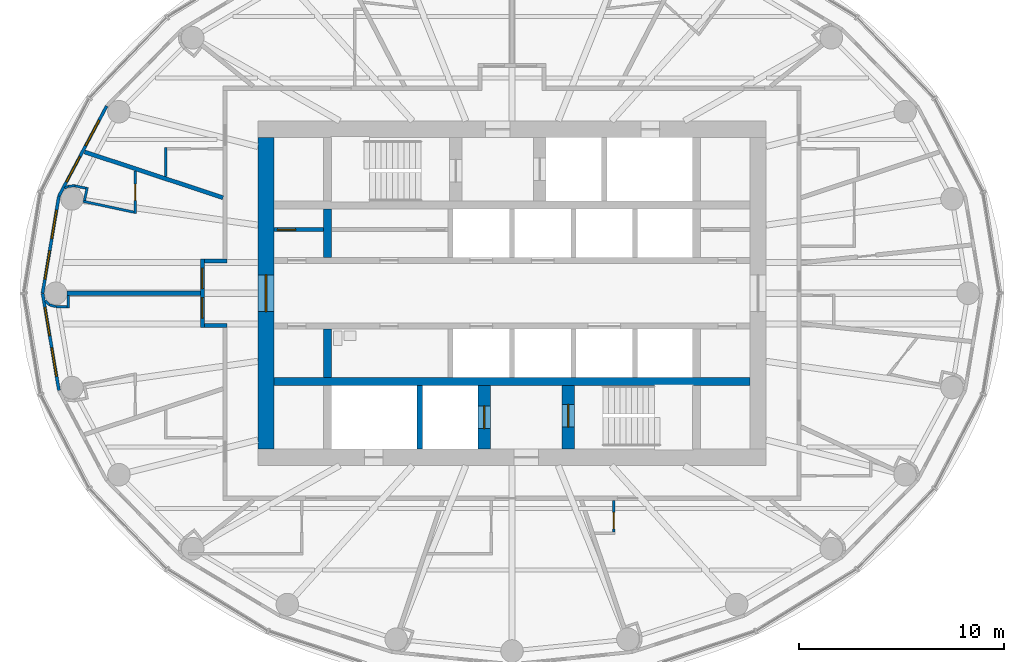
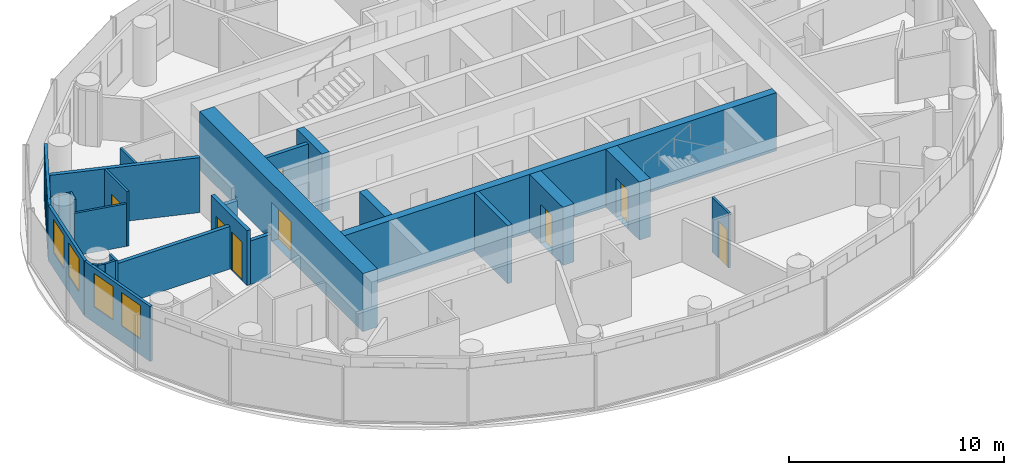
# One storey, part 8 of 16: 28 walls, 8 doors, 6 windows, 14 openings.
"""IFC4 building model written with IfcOpenShell, lengths in metres."""

from ifc_helpers import new_model, si_unit, direction, frame, frame_2d, origin, place, context, subcontext, project, spatial, rectangle, extrude, material, layer, layer_set, type_object, element, fill, save


model = new_model("IFC4")

# Units and contexts
model_context = context("Model", 3, precision=1e-05, world=origin(), true_north=direction((0.0, 1.0)))
body_context = subcontext(model_context, "Body", "Model", "MODEL_VIEW")
ifc_project = project(units=[si_unit("LENGTHUNIT", "METRE"), si_unit("AREAUNIT", "SQUARE_METRE"), si_unit("VOLUMEUNIT", "CUBIC_METRE"), si_unit("PLANEANGLEUNIT", "RADIAN"), si_unit("MASSUNIT", "GRAM", prefix="KILO")], contexts=[model_context])

# Site, building, storey
site_placement = place(None, origin())
site = spatial("IfcSite", under=ifc_project, at=site_placement, CompositionType="ELEMENT")
building_placement = place(site_placement, origin())
building = spatial("IfcBuilding", under=site, at=building_placement, Name="Hankou Lantern Tower", CompositionType="ELEMENT")
storey_placement = place(building_placement, frame((0.0, 0.0, 173.10009765625)))
storey = spatial("IfcBuildingStorey", under=building, at=storey_placement, Name="L46", CompositionType="ELEMENT", Elevation=173.10009765625)

# Wall, opening, door
ifc_material_1 = material(Name="Concrete C60", Category="concrete")
ifc_layer_1 = layer(ifc_material_1, 0.800048828125)
ifc_layer_set_1 = layer_set([ifc_layer_1], Name="Concrete C60")
wall_type_1 = type_object("IfcWallType", Name="CW2 CORE WALL 800", PredefinedType="SHEAR", material=ifc_layer_set_1)
wall_1_placement = place(storey_placement, frame((-12.0, 7.60009765625, 0.0), z_axis=(0.0, 0.0, 1.0), x_axis=(0.0, -1.0, 0.0)))
wall_1 = element("IfcWall", 1, at=wall_1_placement, inside=storey, type_object=wall_type_1, Name="Core wall west L46", PredefinedType="SHEAR", context=body_context, shape_type="SweptSolid", body=[
    extrude(rectangle(XDim=15.2001953125, YDim=0.800048828125, at=frame_2d((7.60009765625, 0.0))), origin(), (0.0, 0.0, 1.0), 3.2998046875),
])
opening_1_placement = place(wall_1_placement, frame((6.699951171875, 0.0, 0.0)))
opening_1 = element("IfcOpeningElement", 2, at=opening_1_placement, cuts=wall_1, Name="Opening D6", PredefinedType="OPENING", context=body_context, shape_type="SweptSolid", body=[
    extrude(rectangle(XDim=1.800048828125, YDim=2.199951171875, at=frame_2d((0.89990234375, 1.10009765625))), frame((0.0, 0.409912109375, 0.0), z_axis=(0.0, -1.0, 0.0), x_axis=(1.0, 0.0, 0.0)), (0.0, 0.0, 1.0), 0.820068359375),
])
ifc_material_2 = material(Name="Steel door leaf", Category="steel")
door_type_1 = type_object("IfcDoorType", Name="D6 LIFT LOBBY DOOR 1800X2200", OperationType="DOUBLE_DOOR_DOUBLE_SWING", PredefinedType="DOOR", material=ifc_material_2)
door_1_placement = place(opening_1_placement, origin())
door_1 = element("IfcDoor", 3, at=door_1_placement, inside=storey, type_object=door_type_1, Name="Lift lobby west door", OperationType="DOUBLE_DOOR_DOUBLE_SWING", OverallHeight=2.199951171875, OverallWidth=1.800048828125, PredefinedType="DOOR", context=body_context, shape_type="SweptSolid", body=[
    extrude(rectangle(XDim=1.800048828125, YDim=2.199951171875, at=frame_2d((0.89990234375, 1.10009765625))), frame((0.0, 0.02490234375, 0.0), z_axis=(0.0, -1.0, 0.0), x_axis=(1.0, 0.0, 0.0)), (0.0, 0.0, 1.0), 0.050048828125),
])
fill(opening_1, door_1)

# Walls
ifc_material_3 = material(Name="Concrete C60", Category="concrete")
ifc_layer_2 = layer(ifc_material_3, 0.39990234375)
ifc_layer_set_2 = layer_set([ifc_layer_2], Name="Concrete C60")
wall_type_2 = type_object("IfcWallType", Name="CW4 CORE CROSS WALL 400", PredefinedType="SHEAR", material=ifc_layer_set_2)
wall_2_placement = place(storey_placement, frame((-11.60009765625, -4.300048828125, 0.0), z_axis=(0.0, 0.0, 1.0), x_axis=(1.0, 0.0, 0.0)))
element("IfcWall", 4, at=wall_2_placement, inside=storey, type_object=wall_type_2, Name="Core band wall south L46", PredefinedType="SHEAR", context=body_context, shape_type="SweptSolid", body=[
    extrude(rectangle(XDim=23.2001953125, YDim=0.39990234375, at=frame_2d((11.60009765625, 0.0))), origin(), (0.0, 0.0, 1.0), 3.2998046875),
])
for number, where, z_axis, x_axis, name in (
    (5, (-9.0, 1.75, 0.0), (0.0, 0.0, 1.0), (0.0, 1.0, 0.0), "Core strip wall L46"),
    (6, (-9.0, -4.10009765625, 0.0), (0.0, 0.0, 1.0), (0.0, 1.0, 0.0), "Core strip wall L46"),
):
    element("IfcWall", number, at=place(storey_placement, frame(where, z_axis=z_axis, x_axis=x_axis)), inside=storey, type_object=wall_type_2, Name=name, PredefinedType="SHEAR", context=body_context, shape_type="SweptSolid", body=[
        extrude(rectangle(XDim=2.35009765625, YDim=0.39990234375, at=frame_2d((1.175048828125, 0.0))), origin(), (0.0, 0.0, 1.0), 3.2998046875),
    ])

# Wall, opening, door
ifc_material_4 = material(Name="Concrete C60", Category="concrete")
ifc_layer_3 = layer(ifc_material_4, 0.60009765625)
ifc_layer_set_3 = layer_set([ifc_layer_3], Name="Concrete C60")
wall_type_3 = type_object("IfcWallType", Name="CW6 STAIR AND SHAFT WALL 600", PredefinedType="SHEAR", material=ifc_layer_set_3)
wall_3_placement = place(storey_placement, frame((2.75, -7.60009765625, 0.0), z_axis=(0.0, 0.0, 1.0), x_axis=(0.0, 1.0, 0.0)))
wall_3 = element("IfcWall", 7, at=wall_3_placement, inside=storey, type_object=wall_type_3, Name="Stair wall L46", PredefinedType="SHEAR", context=body_context, shape_type="SweptSolid", body=[
    extrude(rectangle(XDim=3.10009765625, YDim=0.60009765625, at=frame_2d((1.550048828125, 0.0))), origin(), (0.0, 0.0, 1.0), 3.2998046875),
])
opening_2_placement = place(wall_3_placement, frame((1.074951171875, 0.0, 0.0)))
opening_2 = element("IfcOpeningElement", 8, at=opening_2_placement, cuts=wall_3, Name="Opening D4", PredefinedType="OPENING", context=body_context, shape_type="SweptSolid", body=[
    extrude(rectangle(XDim=1.10009765625, YDim=2.199951171875, at=frame_2d((0.550048828125, 1.10009765625))), frame((0.0, 0.31005859375, 0.0), z_axis=(0.0, -1.0, 0.0), x_axis=(1.0, 0.0, 0.0)), (0.0, 0.0, 1.0), 0.6201171875),
])
ifc_material_5 = material(Name="Steel door leaf", Category="steel")
door_type_2 = type_object("IfcDoorType", Name="D4 STAIR DOOR 1100X2200", OperationType="SINGLE_SWING_LEFT", PredefinedType="DOOR", material=ifc_material_5)
door_2_placement = place(opening_2_placement, origin())
door_2 = element("IfcDoor", 9, at=door_2_placement, inside=storey, type_object=door_type_2, Name="Stair B door", OperationType="SINGLE_SWING_RIGHT", OverallHeight=2.199951171875, OverallWidth=1.10009765625, PredefinedType="DOOR", context=body_context, shape_type="SweptSolid", body=[
    extrude(rectangle(XDim=1.10009765625, YDim=2.199951171875, at=frame_2d((0.550048828125, 1.10009765625))), frame((0.0, 0.02490234375, 0.0), z_axis=(0.0, -1.0, 0.0), x_axis=(1.0, 0.0, 0.0)), (0.0, 0.0, 1.0), 0.050048828125),
])
fill(opening_2, door_2)

wall_4_placement = place(storey_placement, frame((-1.35009765625, -7.60009765625, 0.0), z_axis=(0.0, 0.0, 1.0), x_axis=(0.0, 1.0, 0.0)))
wall_4 = element("IfcWall", 10, at=wall_4_placement, inside=storey, type_object=wall_type_3, Name="Firefighting lift shaft wall L46", PredefinedType="SHEAR", context=body_context, shape_type="SweptSolid", body=[
    extrude(rectangle(XDim=3.10009765625, YDim=0.60009765625, at=frame_2d((1.550048828125, 0.0))), origin(), (0.0, 0.0, 1.0), 3.2998046875),
])
opening_3_placement = place(wall_4_placement, frame((1.0, 0.0, 0.0)))
opening_3 = element("IfcOpeningElement", 11, at=opening_3_placement, cuts=wall_4, Name="Opening LD2", PredefinedType="OPENING", context=body_context, shape_type="SweptSolid", body=[
    extrude(rectangle(XDim=1.10009765625, YDim=2.199951171875, at=frame_2d((0.550048828125, 1.10009765625))), frame((0.0, 0.31005859375, 0.0), z_axis=(0.0, -1.0, 0.0), x_axis=(1.0, 0.0, 0.0)), (0.0, 0.0, 1.0), 0.6201171875),
])
ifc_material_6 = material(Name="Steel door leaf", Category="steel")
door_type_3 = type_object("IfcDoorType", Name="LD2 FIREFIGHTING LIFT LANDING DOOR 1100X2200", OperationType="DOUBLE_DOOR_SLIDING", PredefinedType="DOOR", material=ifc_material_6)
door_3_placement = place(opening_3_placement, origin())
door_3 = element("IfcDoor", 12, at=door_3_placement, inside=storey, type_object=door_type_3, Name="Firefighting lift FL2 landing door", OperationType="DOUBLE_DOOR_SLIDING", OverallHeight=2.199951171875, OverallWidth=1.10009765625, PredefinedType="DOOR", context=body_context, shape_type="SweptSolid", body=[
    extrude(rectangle(XDim=1.10009765625, YDim=2.199951171875, at=frame_2d((0.550048828125, 1.10009765625))), frame((0.0, 0.02490234375, 0.0), z_axis=(0.0, -1.0, 0.0), x_axis=(1.0, 0.0, 0.0)), (0.0, 0.0, 1.0), 0.050048828125),
])
fill(opening_3, door_3)

# Wall, openings, windows
ifc_material_7 = material(Name="Aluminium spandrel panel on steel studs", Category="steel")
ifc_layer_4 = layer(ifc_material_7, 0.14990234375)
ifc_layer_set_4 = layer_set([ifc_layer_4], Name="Aluminium spandrel panel on steel studs")
wall_type_4 = type_object("IfcWallType", Name="EW1 INNER SKIN WALL 150", PredefinedType="ELEMENTEDWALL", material=ifc_layer_set_4)
wall_5_placement = place(storey_placement, frame((-19.771728515625, 9.132080078125, 0.0), z_axis=(0.0, 0.0, 1.0), x_axis=(-0.468428906714, -0.883501193748, 0.0)))
wall_5 = element("IfcWall", 13, at=wall_5_placement, inside=storey, type_object=wall_type_4, Name="Inner skin R11-R12 L46", PredefinedType="ELEMENTEDWALL", context=body_context, shape_type="SweptSolid", body=[
    extrude(rectangle(XDim=4.9736328125, YDim=0.14990234375, at=frame_2d((2.48681640625, 0.0))), origin(), (0.0, 0.0, 1.0), 3.119873046875),
])
opening_4_placement = place(wall_5_placement, frame((0.786865234375, 0.0, 0.89990234375)))
opening_4 = element("IfcOpeningElement", 14, at=opening_4_placement, cuts=wall_5, Name="Opening W3", PredefinedType="OPENING", context=body_context, shape_type="SweptSolid", body=[
    extrude(rectangle(XDim=1.39990234375, YDim=1.89990234375, at=frame_2d((0.699951171875, 0.949951171875))), frame((0.0, 0.0849609375, 0.0), z_axis=(0.0, -1.0, 0.0), x_axis=(1.0, 0.0, 0.0)), (0.0, 0.0, 1.0), 0.169921875),
])
opening_5_placement = place(wall_5_placement, frame((2.786865234375, 0.0, 0.89990234375)))
opening_5 = element("IfcOpeningElement", 15, at=opening_5_placement, cuts=wall_5, Name="Opening W3", PredefinedType="OPENING", context=body_context, shape_type="SweptSolid", body=[
    extrude(rectangle(XDim=1.39990234375, YDim=1.89990234375, at=frame_2d((0.699951171875, 0.949951171875))), frame((0.0, 0.0849609375, 0.0), z_axis=(0.0, -1.0, 0.0), x_axis=(1.0, 0.0, 0.0)), (0.0, 0.0, 1.0), 0.169921875),
])
ifc_material_8 = material(Name="Aluminium framed double glazed window", Category="aluminium")
window_type = type_object("IfcWindowType", Name="W3 GUEST ROOM WINDOW 1400X1900", PartitioningType="DOUBLE_PANEL_VERTICAL", PredefinedType="WINDOW", material=ifc_material_8)
window_1_placement = place(opening_4_placement, origin())
window_1 = element("IfcWindow", 16, at=window_1_placement, inside=storey, type_object=window_type, Name="Window R11.1 L46", OverallHeight=1.89990234375, OverallWidth=1.39990234375, PartitioningType="SINGLE_PANEL", PredefinedType="WINDOW", context=body_context, shape_type="SweptSolid", body=[
    extrude(rectangle(XDim=1.39990234375, YDim=1.89990234375, at=frame_2d((0.699951171875, 0.949951171875))), frame((0.0, 0.030029296875, 0.0), z_axis=(0.0, -1.0, 0.0), x_axis=(1.0, 0.0, 0.0)), (0.0, 0.0, 1.0), 0.06005859375),
])
fill(opening_4, window_1)
window_2_placement = place(opening_5_placement, origin())
window_2 = element("IfcWindow", 17, at=window_2_placement, inside=storey, type_object=window_type, Name="Window R11.2 L46", OverallHeight=1.89990234375, OverallWidth=1.39990234375, PartitioningType="SINGLE_PANEL", PredefinedType="WINDOW", context=body_context, shape_type="SweptSolid", body=[
    extrude(rectangle(XDim=1.39990234375, YDim=1.89990234375, at=frame_2d((0.699951171875, 0.949951171875))), frame((0.0, 0.030029296875, 0.0), z_axis=(0.0, -1.0, 0.0), x_axis=(1.0, 0.0, 0.0)), (0.0, 0.0, 1.0), 0.06005859375),
])
fill(opening_5, window_2)

wall_6_placement = place(storey_placement, frame((-22.1015625, 4.73779296875, 0.0), z_axis=(0.0, 0.0, 1.0), x_axis=(-0.166162111254, -0.986098449843, 0.0)))
wall_6 = element("IfcWall", 18, at=wall_6_placement, inside=storey, type_object=wall_type_4, Name="Inner skin R12-R13 L46", PredefinedType="ELEMENTEDWALL", context=body_context, shape_type="SweptSolid", body=[
    extrude(rectangle(XDim=4.8046875, YDim=0.14990234375, at=frame_2d((2.40234375, 0.0))), origin(), (0.0, 0.0, 1.0), 3.119873046875),
])
opening_6_placement = place(wall_6_placement, frame((0.7021484375, 0.0, 0.89990234375)))
opening_6 = element("IfcOpeningElement", 19, at=opening_6_placement, cuts=wall_6, Name="Opening W3", PredefinedType="OPENING", context=body_context, shape_type="SweptSolid", body=[
    extrude(rectangle(XDim=1.39990234375, YDim=1.89990234375, at=frame_2d((0.699951171875, 0.949951171875))), frame((0.0, 0.0849609375, 0.0), z_axis=(0.0, -1.0, 0.0), x_axis=(1.0, 0.0, 0.0)), (0.0, 0.0, 1.0), 0.169921875),
])
opening_7_placement = place(wall_6_placement, frame((2.7021484375, 0.0, 0.89990234375)))
opening_7 = element("IfcOpeningElement", 20, at=opening_7_placement, cuts=wall_6, Name="Opening W3", PredefinedType="OPENING", context=body_context, shape_type="SweptSolid", body=[
    extrude(rectangle(XDim=1.39990234375, YDim=1.89990234375, at=frame_2d((0.699951171875, 0.949951171875))), frame((0.0, 0.0849609375, 0.0), z_axis=(0.0, -1.0, 0.0), x_axis=(1.0, 0.0, 0.0)), (0.0, 0.0, 1.0), 0.169921875),
])
window_3_placement = place(opening_6_placement, origin())
window_3 = element("IfcWindow", 21, at=window_3_placement, inside=storey, type_object=window_type, Name="Window R12.1 L46", OverallHeight=1.89990234375, OverallWidth=1.39990234375, PartitioningType="SINGLE_PANEL", PredefinedType="WINDOW", context=body_context, shape_type="SweptSolid", body=[
    extrude(rectangle(XDim=1.39990234375, YDim=1.89990234375, at=frame_2d((0.699951171875, 0.949951171875))), frame((0.0, 0.030029296875, 0.0), z_axis=(0.0, -1.0, 0.0), x_axis=(1.0, 0.0, 0.0)), (0.0, 0.0, 1.0), 0.06005859375),
])
fill(opening_6, window_3)
window_4_placement = place(opening_7_placement, origin())
window_4 = element("IfcWindow", 22, at=window_4_placement, inside=storey, type_object=window_type, Name="Window R12.2 L46", OverallHeight=1.89990234375, OverallWidth=1.39990234375, PartitioningType="SINGLE_PANEL", PredefinedType="WINDOW", context=body_context, shape_type="SweptSolid", body=[
    extrude(rectangle(XDim=1.39990234375, YDim=1.89990234375, at=frame_2d((0.699951171875, 0.949951171875))), frame((0.0, 0.030029296875, 0.0), z_axis=(0.0, -1.0, 0.0), x_axis=(1.0, 0.0, 0.0)), (0.0, 0.0, 1.0), 0.06005859375),
])
fill(opening_7, window_4)

wall_7_placement = place(storey_placement, frame((-22.89990234375, 0.0, 0.0), z_axis=(0.0, 0.0, 1.0), x_axis=(0.166162111254, -0.986098449843, 0.0)))
wall_7 = element("IfcWall", 23, at=wall_7_placement, inside=storey, type_object=wall_type_4, Name="Inner skin R13-R14 L46", PredefinedType="ELEMENTEDWALL", context=body_context, shape_type="SweptSolid", body=[
    extrude(rectangle(XDim=4.8046875, YDim=0.14990234375, at=frame_2d((2.40234375, 0.0))), origin(), (0.0, 0.0, 1.0), 3.119873046875),
])
opening_8_placement = place(wall_7_placement, frame((0.7021484375, 0.0, 0.89990234375)))
opening_8 = element("IfcOpeningElement", 24, at=opening_8_placement, cuts=wall_7, Name="Opening W3", PredefinedType="OPENING", context=body_context, shape_type="SweptSolid", body=[
    extrude(rectangle(XDim=1.39990234375, YDim=1.89990234375, at=frame_2d((0.699951171875, 0.949951171875))), frame((0.0, 0.0849609375, 0.0), z_axis=(0.0, -1.0, 0.0), x_axis=(1.0, 0.0, 0.0)), (0.0, 0.0, 1.0), 0.169921875),
])
opening_9_placement = place(wall_7_placement, frame((2.7021484375, 0.0, 0.89990234375)))
opening_9 = element("IfcOpeningElement", 25, at=opening_9_placement, cuts=wall_7, Name="Opening W3", PredefinedType="OPENING", context=body_context, shape_type="SweptSolid", body=[
    extrude(rectangle(XDim=1.39990234375, YDim=1.89990234375, at=frame_2d((0.699951171875, 0.949951171875))), frame((0.0, 0.0849609375, 0.0), z_axis=(0.0, -1.0, 0.0), x_axis=(1.0, 0.0, 0.0)), (0.0, 0.0, 1.0), 0.169921875),
])
window_5_placement = place(opening_8_placement, origin())
window_5 = element("IfcWindow", 26, at=window_5_placement, inside=storey, type_object=window_type, Name="Window R13.1 L46", OverallHeight=1.89990234375, OverallWidth=1.39990234375, PartitioningType="SINGLE_PANEL", PredefinedType="WINDOW", context=body_context, shape_type="SweptSolid", body=[
    extrude(rectangle(XDim=1.39990234375, YDim=1.89990234375, at=frame_2d((0.699951171875, 0.949951171875))), frame((0.0, 0.030029296875, 0.0), z_axis=(0.0, -1.0, 0.0), x_axis=(1.0, 0.0, 0.0)), (0.0, 0.0, 1.0), 0.06005859375),
])
fill(opening_8, window_5)
window_6_placement = place(opening_9_placement, origin())
window_6 = element("IfcWindow", 27, at=window_6_placement, inside=storey, type_object=window_type, Name="Window R13.2 L46", OverallHeight=1.89990234375, OverallWidth=1.39990234375, PartitioningType="SINGLE_PANEL", PredefinedType="WINDOW", context=body_context, shape_type="SweptSolid", body=[
    extrude(rectangle(XDim=1.39990234375, YDim=1.89990234375, at=frame_2d((0.699951171875, 0.949951171875))), frame((0.0, 0.030029296875, 0.0), z_axis=(0.0, -1.0, 0.0), x_axis=(1.0, 0.0, 0.0)), (0.0, 0.0, 1.0), 0.06005859375),
])
fill(opening_9, window_6)

# Walls
ifc_material_9 = material(Name="Masonry lightweight concrete block", Category="masonry")
ifc_layer_5 = layer(ifc_material_9, 0.199951171875)
ifc_layer_set_5 = layer_set([ifc_layer_5], Name="Masonry lightweight concrete block")
wall_type_5 = type_object("IfcWallType", Name="IW1 GUEST ROOM PARTY WALL 200", PredefinedType="PARTITIONING", material=ifc_layer_set_5)
wall_8_placement = place(storey_placement, frame((-14.10009765625, 4.661376953125, 0.0), z_axis=(0.0, 0.0, 1.0), x_axis=(-0.949453216399, 0.313908569285, 0.0)))
element("IfcWall", 28, at=wall_8_placement, inside=storey, type_object=wall_type_5, Name="Party wall R11-R12", PredefinedType="PARTITIONING", context=body_context, shape_type="SweptSolid", body=[
    extrude(rectangle(XDim=7.108642578125, YDim=0.199951171875, at=frame_2d((3.55419921875, 0.0))), origin(), (0.0, 0.0, 1.0), 3.119873046875),
])
wall_9_placement = place(storey_placement, frame((-15.199951171875, 0.0, 0.0), z_axis=(0.0, 0.0, 1.0), x_axis=(-1.0, 0.0, 0.0)))
element("IfcWall", 29, at=wall_9_placement, inside=storey, type_object=wall_type_5, Name="Party wall R13", PredefinedType="PARTITIONING", context=body_context, shape_type="SweptSolid", body=[
    extrude(rectangle(XDim=6.5, YDim=0.199951171875, at=frame_2d((3.25, 0.0))), origin(), (0.0, 0.0, 1.0), 2.419921875),
])

# Wall, openings, doors
ifc_material_10 = material(Name="Masonry lightweight concrete block", Category="masonry")
ifc_layer_6 = layer(ifc_material_10, 0.199951171875)
ifc_layer_set_6 = layer_set([ifc_layer_6], Name="Masonry lightweight concrete block")
wall_type_6 = type_object("IfcWallType", Name="IW2 CORRIDOR WALL 200", PredefinedType="PARTITIONING", material=ifc_layer_set_6)
wall_10_placement = place(storey_placement, frame((-15.10009765625, 1.669921875, 0.0), z_axis=(0.0, 0.0, 1.0), x_axis=(0.0, -1.0, 0.0)))
wall_10 = element("IfcWall", 30, at=wall_10_placement, inside=storey, type_object=wall_type_6, Name="Corridor alcove wall 4612-4613 back", PredefinedType="PARTITIONING", context=body_context, shape_type="SweptSolid", body=[
    extrude(rectangle(XDim=3.33984375, YDim=0.199951171875, at=frame_2d((1.669921875, 0.0))), origin(), (0.0, 0.0, 1.0), 3.119873046875),
])
opening_10_placement = place(wall_10_placement, frame((0.449951171875, 0.0, 0.0)))
opening_10 = element("IfcOpeningElement", 31, at=opening_10_placement, cuts=wall_10, Name="Opening D1", PredefinedType="OPENING", context=body_context, shape_type="SweptSolid", body=[
    extrude(rectangle(XDim=1.0, YDim=2.199951171875, at=frame_2d((0.5, 1.10009765625))), frame((0.0, 0.10986328125, 0.0), z_axis=(0.0, -1.0, 0.0), x_axis=(1.0, 0.0, 0.0)), (0.0, 0.0, 1.0), 0.219970703125),
])
opening_11_placement = place(wall_10_placement, frame((1.889892578125, 0.0, 0.0)))
opening_11 = element("IfcOpeningElement", 32, at=opening_11_placement, cuts=wall_10, Name="Opening D1", PredefinedType="OPENING", context=body_context, shape_type="SweptSolid", body=[
    extrude(rectangle(XDim=1.0, YDim=2.199951171875, at=frame_2d((0.5, 1.10009765625))), frame((0.0, 0.10986328125, 0.0), z_axis=(0.0, -1.0, 0.0), x_axis=(1.0, 0.0, 0.0)), (0.0, 0.0, 1.0), 0.219970703125),
])
ifc_material_11 = material(Name="Steel door leaf", Category="steel")
door_type_4 = type_object("IfcDoorType", Name="D1 GUEST ROOM DOOR 1000X2200", OperationType="SINGLE_SWING_LEFT", PredefinedType="DOOR", material=ifc_material_11)
door_4_placement = place(opening_10_placement, origin())
door_4 = element("IfcDoor", 33, at=door_4_placement, inside=storey, type_object=door_type_4, Name="Guest room door 4612", OperationType="SINGLE_SWING_LEFT", OverallHeight=2.199951171875, OverallWidth=1.0, PredefinedType="DOOR", context=body_context, shape_type="SweptSolid", body=[
    extrude(rectangle(XDim=1.0, YDim=2.199951171875, at=frame_2d((0.5, 1.10009765625))), frame((0.0, 0.02490234375, 0.0), z_axis=(0.0, -1.0, 0.0), x_axis=(1.0, 0.0, 0.0)), (0.0, 0.0, 1.0), 0.050048828125),
])
fill(opening_10, door_4)
door_5_placement = place(opening_11_placement, origin())
door_5 = element("IfcDoor", 34, at=door_5_placement, inside=storey, type_object=door_type_4, Name="Guest room door 4613", OperationType="SINGLE_SWING_RIGHT", OverallHeight=2.199951171875, OverallWidth=1.0, PredefinedType="DOOR", context=body_context, shape_type="SweptSolid", body=[
    extrude(rectangle(XDim=1.0, YDim=2.199951171875, at=frame_2d((0.5, 1.10009765625))), frame((0.0, 0.02490234375, 0.0), z_axis=(0.0, -1.0, 0.0), x_axis=(1.0, 0.0, 0.0)), (0.0, 0.0, 1.0), 0.050048828125),
])
fill(opening_11, door_5)

# Walls
for number, where, z_axis, x_axis, name in (
    (35, (-13.89990234375, 1.570068359375, 0.0), (0.0, 0.0, 1.0), (-1.0, 0.0, 0.0), "Corridor alcove wall 4612-4613 left"),
    (36, (-13.89990234375, -1.570068359375, 0.0), (0.0, 0.0, 1.0), (-1.0, 0.0, 0.0), "Corridor alcove wall 4612-4613 right"),
):
    element("IfcWall", number, at=place(storey_placement, frame(where, z_axis=z_axis, x_axis=x_axis)), inside=storey, type_object=wall_type_6, Name=name, PredefinedType="PARTITIONING", context=body_context, shape_type="SweptSolid", body=[
        extrude(rectangle(XDim=1.10009765625, YDim=0.199951171875, at=frame_2d((0.550048828125, 0.0))), origin(), (0.0, 0.0, 1.0), 2.469970703125),
    ])

# Wall, opening, door
ifc_material_12 = material(Name="Masonry lightweight concrete block", Category="masonry")
ifc_layer_7 = layer(ifc_material_12, 0.1201171875)
ifc_layer_set_7 = layer_set([ifc_layer_7], Name="Masonry lightweight concrete block")
wall_type_7 = type_object("IfcWallType", Name="IW3 BATHROOM WALL 120", PredefinedType="PARTITIONING", material=ifc_layer_set_7)
wall_11_placement = place(storey_placement, frame((4.962890625, -10.10009765625, 0.0), z_axis=(0.0, 0.0, 1.0), x_axis=(0.0, -1.0, 0.0)))
wall_11 = element("IfcWall", 37, at=wall_11_placement, inside=storey, type_object=wall_type_7, Name="Box wall 4603C 1", PredefinedType="PARTITIONING", context=body_context, shape_type="SweptSolid", body=[
    extrude(rectangle(XDim=1.539794921875, YDim=0.1201171875, at=frame_2d((0.77001953125, 0.0))), origin(), (0.0, 0.0, 1.0), 3.119873046875),
])
opening_12_placement = place(wall_11_placement, frame((0.590087890625, 0.0, 0.0)))
opening_12 = element("IfcOpeningElement", 38, at=opening_12_placement, cuts=wall_11, Name="Opening D3", PredefinedType="OPENING", context=body_context, shape_type="SweptSolid", body=[
    extrude(rectangle(XDim=0.800048828125, YDim=2.10009765625, at=frame_2d((0.39990234375, 1.050048828125))), frame((0.0, 0.070068359375, 0.0), z_axis=(0.0, -1.0, 0.0), x_axis=(1.0, 0.0, 0.0)), (0.0, 0.0, 1.0), 0.14013671875),
])
ifc_material_13 = material(Name="Timber door leaf", Category="wood")
door_type_5 = type_object("IfcDoorType", Name="D3 BATHROOM DOOR 800X2100", OperationType="SINGLE_SWING_LEFT", PredefinedType="DOOR", material=ifc_material_13)
door_6_placement = place(opening_12_placement, origin())
door_6 = element("IfcDoor", 39, at=door_6_placement, inside=storey, type_object=door_type_5, Name="Corner suite 4603 guest WC door", OperationType="SINGLE_SWING_LEFT", OverallHeight=2.10009765625, OverallWidth=0.800048828125, PredefinedType="DOOR", context=body_context, shape_type="SweptSolid", body=[
    extrude(rectangle(XDim=0.800048828125, YDim=2.10009765625, at=frame_2d((0.39990234375, 1.050048828125))), frame((0.0, 0.02490234375, 0.0), z_axis=(0.0, -1.0, 0.0), x_axis=(1.0, 0.0, 0.0)), (0.0, 0.0, 1.0), 0.050048828125),
])
fill(opening_12, door_6)

# Wall
wall_12_placement = place(storey_placement, frame((-16.89990234375, 5.687255859375, 0.0), z_axis=(0.0, 0.0, 1.0), x_axis=(0.0, 1.0, 0.0)))
element("IfcWall", 40, at=wall_12_placement, inside=storey, type_object=wall_type_7, Name="Box wall 4611 1", PredefinedType="PARTITIONING", context=body_context, shape_type="SweptSolid", body=[
    extrude(rectangle(XDim=1.414306640625, YDim=0.1201171875, at=frame_2d((0.70703125, 0.0))), origin(), (0.0, 0.0, 1.0), 3.119873046875),
])

# Wall, opening, door
wall_13_placement = place(storey_placement, frame((-18.380859375, 5.971435546875, 0.0), z_axis=(0.0, 0.0, 1.0), x_axis=(-0.000934142516, -0.999999563689, 0.0)))
wall_13 = element("IfcWall", 41, at=wall_13_placement, inside=storey, type_object=wall_type_7, Name="Box wall 4612 1", PredefinedType="PARTITIONING", context=body_context, shape_type="SweptSolid", body=[
    extrude(rectangle(XDim=2.0908203125, YDim=0.1201171875, at=frame_2d((1.04541015625, 0.0))), origin(), (0.0, 0.0, 1.0), 3.119873046875),
])
opening_13_placement = place(wall_13_placement, frame((0.6455078125, 0.0, 0.0)))
opening_13 = element("IfcOpeningElement", 42, at=opening_13_placement, cuts=wall_13, Name="Opening D3", PredefinedType="OPENING", context=body_context, shape_type="SweptSolid", body=[
    extrude(rectangle(XDim=0.800048828125, YDim=2.10009765625, at=frame_2d((0.39990234375, 1.050048828125))), frame((0.0, 0.070068359375, 0.0), z_axis=(0.0, -1.0, 0.0), x_axis=(1.0, 0.0, 0.0)), (0.0, 0.0, 1.0), 0.14013671875),
])
door_7_placement = place(opening_13_placement, origin())
door_7 = element("IfcDoor", 43, at=door_7_placement, inside=storey, type_object=door_type_5, Name="En-suite bathroom 4612 door", OperationType="SINGLE_SWING_LEFT", OverallHeight=2.10009765625, OverallWidth=0.800048828125, PredefinedType="DOOR", context=body_context, shape_type="SweptSolid", body=[
    extrude(rectangle(XDim=0.800048828125, YDim=2.10009765625, at=frame_2d((0.39990234375, 1.050048828125))), frame((0.0, 0.02490234375, 0.0), z_axis=(0.0, -1.0, 0.0), x_axis=(1.0, 0.0, 0.0)), (0.0, 0.0, 1.0), 0.050048828125),
])
fill(opening_13, door_7)

# Walls
wall_14_placement = place(storey_placement, frame((-18.44140625, 3.953125, 0.0), z_axis=(0.0, 0.0, 1.0), x_axis=(-0.977801007461, 0.209535652833, 0.0)))
element("IfcWall", 44, at=wall_14_placement, inside=storey, type_object=wall_type_7, Name="Box wall 4612 2", PredefinedType="PARTITIONING", context=body_context, shape_type="SweptSolid", body=[
    extrude(rectangle(XDim=2.5400390625, YDim=0.1201171875, at=frame_2d((1.27001953125, 0.0))), origin(), (0.0, 0.0, 1.0), 2.419921875),
])
wall_15_placement = place(storey_placement, frame((-20.853759765625, 4.531494140625, 0.0), z_axis=(0.0, 0.0, 1.0), x_axis=(0.209631346779, 0.977780496046, 0.0)))
element("IfcWall", 45, at=wall_15_placement, inside=storey, type_object=wall_type_7, Name="Column casing 4612 return", PredefinedType="PARTITIONING", context=body_context, shape_type="SweptSolid", body=[
    extrude(rectangle(XDim=0.652099609375, YDim=0.1201171875, at=frame_2d((0.326171875, 0.0))), origin(), (0.0, 0.0, 1.0), 3.119873046875),
])
wall_16_placement = place(storey_placement, frame((-20.788330078125, 5.123291015625, 0.0), z_axis=(0.0, 0.0, 1.0), x_axis=(-0.977789415726, 0.209589738521, 0.0)))
element("IfcWall", 46, at=wall_16_placement, inside=storey, type_object=wall_type_7, Name="Column casing 4612", PredefinedType="PARTITIONING", context=body_context, shape_type="SweptSolid", body=[
    extrude(rectangle(XDim=0.5498046875, YDim=0.1201171875, at=frame_2d((0.27490234375, 0.0))), origin(), (0.0, 0.0, 1.0), 3.119873046875),
])
wall_17_placement = place(storey_placement, frame((-21.325927734375, 5.238525390625, 0.0), z_axis=(0.0, 0.0, 1.0), x_axis=(-0.998719689441, -0.050586380797, 0.0)))
element("IfcWall", 47, at=wall_17_placement, inside=storey, type_object=wall_type_7, Name="Column casing 4612", PredefinedType="PARTITIONING", context=body_context, shape_type="SweptSolid", body=[
    extrude(rectangle(XDim=0.337890625, YDim=0.1201171875, at=frame_2d((0.1689453125, 0.0))), origin(), (0.0, 0.0, 1.0), 3.119873046875),
])
wall_18_placement = place(storey_placement, frame((-21.663330078125, 5.221435546875, 0.0), z_axis=(0.0, 0.0, 1.0), x_axis=(-0.839279022252, -0.543700949795, 0.0)))
element("IfcWall", 48, at=wall_18_placement, inside=storey, type_object=wall_type_7, Name="Column casing 4612", PredefinedType="PARTITIONING", context=body_context, shape_type="SweptSolid", body=[
    extrude(rectangle(XDim=0.18017578125, YDim=0.1201171875, at=frame_2d((0.090087890625, 0.0))), origin(), (0.0, 0.0, 1.0), 3.119873046875),
])
ifc_material_14 = material(Name="Masonry lightweight concrete block", Category="masonry")
ifc_layer_8 = layer(ifc_material_14, 0.1201171875)
ifc_layer_set_8 = layer_set([ifc_layer_8], Name="Masonry lightweight concrete block")
wall_type_8 = type_object("IfcWallType", Name="IW4 PARTITION 120", PredefinedType="PARTITIONING", material=ifc_layer_set_8)
wall_19_placement = place(storey_placement, frame((-21.639892578125, -0.10009765625, 0.0), z_axis=(0.0, 0.0, 1.0), x_axis=(0.0, -1.0, 0.0)))
element("IfcWall", 49, at=wall_19_placement, inside=storey, type_object=wall_type_8, Name="Column casing R13 return", PredefinedType="PARTITIONING", context=body_context, shape_type="SweptSolid", body=[
    extrude(rectangle(XDim=0.612060546875, YDim=0.1201171875, at=frame_2d((0.30615234375, 0.0))), origin(), (0.0, 0.0, 1.0), 3.119873046875),
])
wall_20_placement = place(storey_placement, frame((-21.699951171875, -0.65234375, 0.0), z_axis=(0.0, 0.0, 1.0), x_axis=(-1.0, 0.0, 0.0)))
element("IfcWall", 50, at=wall_20_placement, inside=storey, type_object=wall_type_8, Name="Column casing R13", PredefinedType="PARTITIONING", context=body_context, shape_type="SweptSolid", body=[
    extrude(rectangle(XDim=0.550048828125, YDim=0.1201171875, at=frame_2d((0.27490234375, 0.0))), origin(), (0.0, 0.0, 1.0), 3.119873046875),
])
wall_21_placement = place(storey_placement, frame((-22.25, -0.65234375, 0.0), z_axis=(0.0, 0.0, 1.0), x_axis=(-0.965922233104, 0.258832454679, 0.0)))
element("IfcWall", 51, at=wall_21_placement, inside=storey, type_object=wall_type_8, Name="Column casing R13", PredefinedType="PARTITIONING", context=body_context, shape_type="SweptSolid", body=[
    extrude(rectangle(XDim=0.337646484375, YDim=0.1201171875, at=frame_2d((0.1689453125, 0.0))), origin(), (0.0, 0.0, 1.0), 3.119873046875),
])
wall_22_placement = place(storey_placement, frame((-22.576171875, -0.56494140625, 0.0), z_axis=(0.0, 0.0, 1.0), x_axis=(-0.706639272724, 0.707573980757, 0.0)))
element("IfcWall", 52, at=wall_22_placement, inside=storey, type_object=wall_type_8, Name="Column casing R13", PredefinedType="PARTITIONING", context=body_context, shape_type="SweptSolid", body=[
    extrude(rectangle(XDim=0.26123046875, YDim=0.1201171875, at=frame_2d((0.130615234375, 0.0))), origin(), (0.0, 0.0, 1.0), 3.119873046875),
])

# Wall, opening, door
ifc_material_15 = material(Name="Masonry lightweight concrete block", Category="masonry")
ifc_layer_9 = layer(ifc_material_15, 0.199951171875)
ifc_layer_set_9 = layer_set([ifc_layer_9], Name="Masonry lightweight concrete block")
wall_type_9 = type_object("IfcWallType", Name="IW8 PARTITION 200", PredefinedType="PARTITIONING", material=ifc_layer_set_9)
wall_23_placement = place(storey_placement, frame((-11.60009765625, 3.10009765625, 0.0), z_axis=(0.0, 0.0, 1.0), x_axis=(1.0, 0.0, 0.0)))
wall_23 = element("IfcWall", 53, at=wall_23_placement, inside=storey, type_object=wall_type_9, Name="Partition guest pantry and ice room", PredefinedType="PARTITIONING", context=body_context, shape_type="SweptSolid", body=[
    extrude(rectangle(XDim=2.400146484375, YDim=0.199951171875, at=frame_2d((1.2001953125, 0.0))), origin(), (0.0, 0.0, 1.0), 3.119873046875),
])
opening_14_placement = place(wall_23_placement, frame((0.14990234375, 0.0, 0.0)))
opening_14 = element("IfcOpeningElement", 54, at=opening_14_placement, cuts=wall_23, Name="Opening D12", PredefinedType="OPENING", context=body_context, shape_type="SweptSolid", body=[
    extrude(rectangle(XDim=0.89990234375, YDim=2.199951171875, at=frame_2d((0.449951171875, 1.10009765625))), frame((0.0, 0.10986328125, 0.0), z_axis=(0.0, -1.0, 0.0), x_axis=(1.0, 0.0, 0.0)), (0.0, 0.0, 1.0), 0.219970703125),
])
ifc_material_16 = material(Name="Steel door leaf", Category="steel")
door_type_6 = type_object("IfcDoorType", Name="D12 STORE DOOR 900X2200", OperationType="SINGLE_SWING_LEFT", PredefinedType="DOOR", material=ifc_material_16)
door_8_placement = place(opening_14_placement, origin())
door_8 = element("IfcDoor", 55, at=door_8_placement, inside=storey, type_object=door_type_6, Name="Ice machine cupboard door", OperationType="SINGLE_SWING_LEFT", OverallHeight=2.199951171875, OverallWidth=0.89990234375, PredefinedType="DOOR", context=body_context, shape_type="SweptSolid", body=[
    extrude(rectangle(XDim=0.89990234375, YDim=2.199951171875, at=frame_2d((0.449951171875, 1.10009765625))), frame((0.0, 0.02490234375, 0.0), z_axis=(0.0, -1.0, 0.0), x_axis=(1.0, 0.0, 0.0)), (0.0, 0.0, 1.0), 0.050048828125),
])
fill(opening_14, door_8)

# Wall
ifc_material_17 = material(Name="Masonry autoclaved aerated concrete block", Category="masonry")
ifc_layer_10 = layer(ifc_material_17, 0.25)
ifc_layer_set_10 = layer_set([ifc_layer_10], Name="Masonry autoclaved aerated concrete block")
wall_type_10 = type_object("IfcWallType", Name="SW1 SHAFT BLOCK WALL 250", PredefinedType="PARTITIONING", material=ifc_layer_set_10)
wall_24_placement = place(storey_placement, frame((-4.5, -7.60009765625, 0.0), z_axis=(0.0, 0.0, 1.0), x_axis=(0.0, 1.0, 0.0)))
element("IfcWall", 56, at=wall_24_placement, inside=storey, type_object=wall_type_10, Name="Riser wall L46", PredefinedType="PARTITIONING", context=body_context, shape_type="SweptSolid", body=[
    extrude(rectangle(XDim=3.10009765625, YDim=0.25, at=frame_2d((1.550048828125, 0.0))), origin(), (0.0, 0.0, 1.0), 3.2998046875),
])

save(model, "model.ifc")
